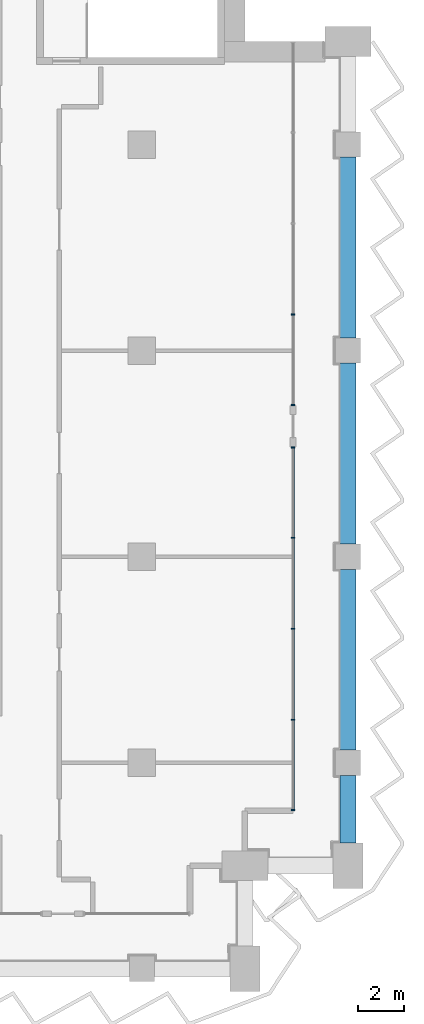
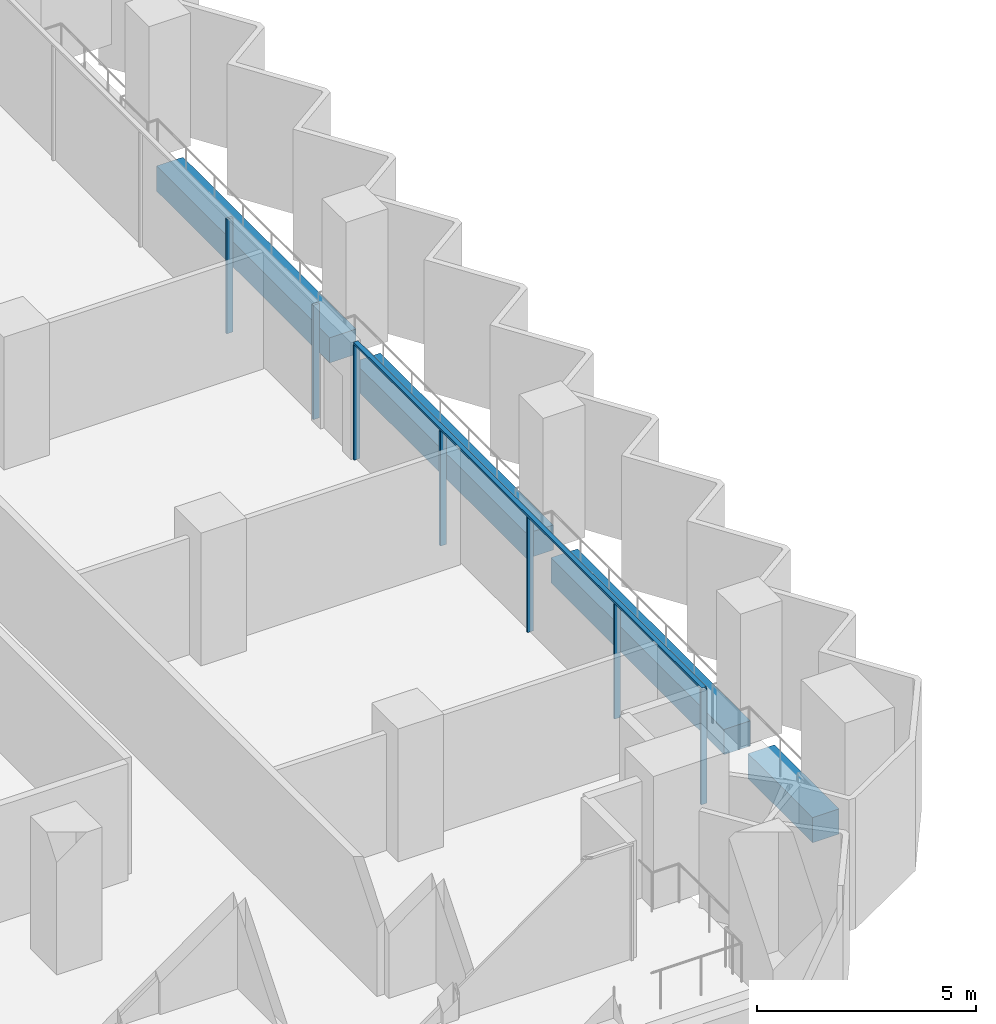
# One storey, part 6 of 22: 8 members, 4 beams, 2 elements without a shape of their own.
"""IFC4 building model written with IfcOpenShell, lengths in metres."""

from ifc_helpers import new_model, si_unit, direction, frame, origin, origin_2d, place, context, subcontext, project, spatial, rectangle, extrude, material, material_profile, profile_set, type_object, element, aggregate, save


model = new_model("IFC4")

# Units and contexts
model_context = context("Model", 3, precision=1e-05, world=origin(), true_north=direction((0.0, 1.0)))
body_context = subcontext(model_context, "Body", "Model", "MODEL_VIEW")
ifc_project = project(units=[si_unit("LENGTHUNIT", "METRE"), si_unit("AREAUNIT", "SQUARE_METRE"), si_unit("VOLUMEUNIT", "CUBIC_METRE"), si_unit("PLANEANGLEUNIT", "RADIAN"), si_unit("MASSUNIT", "GRAM", prefix="KILO")], contexts=[model_context])

# Site, building, storey
site_placement = place(None, origin())
site = spatial("IfcSite", under=ifc_project, at=site_placement, CompositionType="ELEMENT")
building_placement = place(site_placement, origin())
building = spatial("IfcBuilding", under=site, at=building_placement, Name="Hunhe Ridgeline Campus", CompositionType="ELEMENT")
storey_placement = place(building_placement, frame((0.0, 0.0, 174.5)))
storey = spatial("IfcBuildingStorey", under=building, at=storey_placement, Name="L44", CompositionType="ELEMENT", Elevation=174.5)

# Curtain wall, members
ifc_material_1 = material(Name="Aluminium 6063", Category="aluminium")
curtain_wall_type = type_object("IfcCurtainWallType", Name="Curtain wall CW-1", PredefinedType="NOTDEFINED", material=ifc_material_1)
curtain_wall_1_placement = place(storey_placement, origin())
curtain_wall_1 = element("IfcCurtainWall", 1, at=curtain_wall_1_placement, inside=storey, type_object=curtain_wall_type, Name="Curtain wall 14", PredefinedType="NOTDEFINED")
ifc_material_profile_1 = material_profile(ifc_material_1, rectangle(XDim=0.159912109375, YDim=0.06005859375, at=origin_2d()))
ifc_profile_set_1 = profile_set([ifc_material_profile_1], Name="Aluminium 6063")
member_type_1 = type_object("IfcMemberType", Name="CW-1 aluminium mullion", PredefinedType="MULLION", material=ifc_profile_set_1)
member_1_placement = place(storey_placement, frame((60.59912109375, 60.930908203125, 0.0), z_axis=(0.0, 0.0, 1.0), x_axis=(-1.0, 0.0, 0.0)))
member_1 = element("IfcMember", 2, at=member_1_placement, type_object=member_type_1, Name="CW-1 mullion 1", PredefinedType="MULLION", context=body_context, shape_type="SweptSolid", body=[
    extrude(rectangle(XDim=0.159912109375, YDim=0.06005859375, at=origin_2d()), origin(), (0.0, 0.0, 1.0), 3.18994140625),
])
member_2_placement = place(storey_placement, frame((60.59912109375, 64.8759765625, 0.0), z_axis=(0.0, 0.0, 1.0), x_axis=(-1.0, 0.0, 0.0)))
member_2 = element("IfcMember", 3, at=member_2_placement, type_object=member_type_1, Name="CW-1 mullion 2", PredefinedType="MULLION", context=body_context, shape_type="SweptSolid", body=[
    extrude(rectangle(XDim=0.159912109375, YDim=0.06005859375, at=origin_2d()), origin(), (0.0, 0.0, 1.0), 3.18994140625),
])
member_3_placement = place(storey_placement, frame((60.59912109375, 68.850830078125, 0.0), z_axis=(0.0, 0.0, 1.0), x_axis=(-1.0, 0.0, 0.0)))
member_3 = element("IfcMember", 4, at=member_3_placement, type_object=member_type_1, Name="CW-1 mullion 3", PredefinedType="MULLION", context=body_context, shape_type="SweptSolid", body=[
    extrude(rectangle(XDim=0.159912109375, YDim=0.06005859375, at=origin_2d()), origin(), (0.0, 0.0, 1.0), 3.18994140625),
])
member_4_placement = place(storey_placement, frame((60.59912109375, 72.82568359375, 0.0), z_axis=(0.0, 0.0, 1.0), x_axis=(-1.0, 0.0, 0.0)))
member_4 = element("IfcMember", 5, at=member_4_placement, type_object=member_type_1, Name="CW-1 mullion 4", PredefinedType="MULLION", context=body_context, shape_type="SweptSolid", body=[
    extrude(rectangle(XDim=0.159912109375, YDim=0.06005859375, at=origin_2d()), origin(), (0.0, 0.0, 1.0), 3.18994140625),
])
member_5_placement = place(storey_placement, frame((60.59912109375, 76.7705078125, 0.0), z_axis=(0.0, 0.0, 1.0), x_axis=(-1.0, 0.0, 0.0)))
member_5 = element("IfcMember", 6, at=member_5_placement, type_object=member_type_1, Name="CW-1 mullion 5", PredefinedType="MULLION", context=body_context, shape_type="SweptSolid", body=[
    extrude(rectangle(XDim=0.159912109375, YDim=0.06005859375, at=origin_2d()), origin(), (0.0, 0.0, 1.0), 3.18994140625),
])

curtain_wall_2_placement = place(storey_placement, origin())
curtain_wall_2 = element("IfcCurtainWall", 7, at=curtain_wall_2_placement, inside=storey, type_object=curtain_wall_type, Name="Curtain wall 15", PredefinedType="NOTDEFINED")
member_6_placement = place(storey_placement, frame((60.59912109375, 78.630615234375, 0.0), z_axis=(0.0, 0.0, 1.0), x_axis=(-1.0, 0.0, 0.0)))
member_6 = element("IfcMember", 8, at=member_6_placement, type_object=member_type_1, Name="CW-1 mullion 1", PredefinedType="MULLION", context=body_context, shape_type="SweptSolid", body=[
    extrude(rectangle(XDim=0.159912109375, YDim=0.06005859375, at=origin_2d()), origin(), (0.0, 0.0, 1.0), 3.18994140625),
])
member_7_placement = place(storey_placement, frame((60.59912109375, 82.575439453125, 0.0), z_axis=(0.0, 0.0, 1.0), x_axis=(-1.0, 0.0, 0.0)))
member_7 = element("IfcMember", 9, at=member_7_placement, type_object=member_type_1, Name="CW-1 mullion 2", PredefinedType="MULLION", context=body_context, shape_type="SweptSolid", body=[
    extrude(rectangle(XDim=0.159912109375, YDim=0.06005859375, at=origin_2d()), origin(), (0.0, 0.0, 1.0), 3.18994140625),
])
aggregate(curtain_wall_2, [member_6, member_7])

# Member
ifc_material_profile_2 = material_profile(ifc_material_1, rectangle(XDim=0.1201171875, YDim=0.06005859375, at=origin_2d()))
ifc_profile_set_2 = profile_set([ifc_material_profile_2], Name="Aluminium 6063")
member_type_2 = type_object("IfcMemberType", Name="CW-1 aluminium transom", PredefinedType="USERDEFINED", material=ifc_profile_set_2)
member_8_placement = place(storey_placement, frame((60.59912109375, 60.90087890625, 3.219970703125), z_axis=(0.0, 1.0, 0.0), x_axis=(-1.0, 0.0, 0.0)))
member_8 = element("IfcMember", 10, at=member_8_placement, type_object=member_type_2, Name="CW-1 transom 1", ObjectType="TRANSOM", PredefinedType="USERDEFINED", context=body_context, shape_type="SweptSolid", body=[
    extrude(rectangle(XDim=0.1201171875, YDim=0.06005859375, at=origin_2d()), origin(), (0.0, 0.0, 1.0), 15.899658203125),
])

aggregate(curtain_wall_1, [member_8, member_1, member_2, member_3, member_4, member_5])

# Beams
ifc_material_2 = material(Name="Concrete C60", Category="concrete")
ifc_material_profile_3 = material_profile(ifc_material_2, rectangle(XDim=0.699951171875, YDim=0.699951171875, at=origin_2d()))
ifc_profile_set_3 = profile_set([ifc_material_profile_3], Name="Concrete C60")
beam_type = type_object("IfcBeamType", Name="RC spandrel beam 700x700 Concrete C60", PredefinedType="SPANDREL", material=ifc_profile_set_3)
beam_placement = place(storey_placement, frame((63.0, 59.5, -0.60009765625), z_axis=(0.0, 1.0, 0.0), x_axis=(-1.0, 0.0, 0.0)))
element("IfcBeam", 11, at=beam_placement, inside=storey, type_object=beam_type, Name="Spandrel beam B2-16 L44", PredefinedType="SPANDREL", context=body_context, shape_type="SweptSolid", body=[
    extrude(rectangle(XDim=0.699951171875, YDim=0.699951171875, at=origin_2d()), origin(), (0.0, 0.0, 1.0), 2.949951171875),
])
for number, where, z_axis, x_axis, name in (
    (12, (63.0, 63.550048828125, -0.60009765625), (0.0, 1.0, 0.0), (-1.0, 0.0, 0.0), "Spandrel beam B2-17 L44"),
    (13, (63.0, 72.550048828125, -0.60009765625), (0.0, 1.0, 0.0), (-1.0, 0.0, 0.0), "Spandrel beam B2-18 L44"),
    (14, (63.0, 81.550048828125, -0.60009765625), (0.0, 1.0, 0.0), (-1.0, 0.0, 0.0), "Spandrel beam B2-19 L44"),
):
    element("IfcBeam", number, at=place(storey_placement, frame(where, z_axis=z_axis, x_axis=x_axis)), inside=storey, type_object=beam_type, Name=name, PredefinedType="SPANDREL", context=body_context, shape_type="SweptSolid", body=[
        extrude(rectangle(XDim=0.699951171875, YDim=0.699951171875, at=origin_2d()), origin(), (0.0, 0.0, 1.0), 7.89990234375),
    ])

save(model, "model.ifc")
